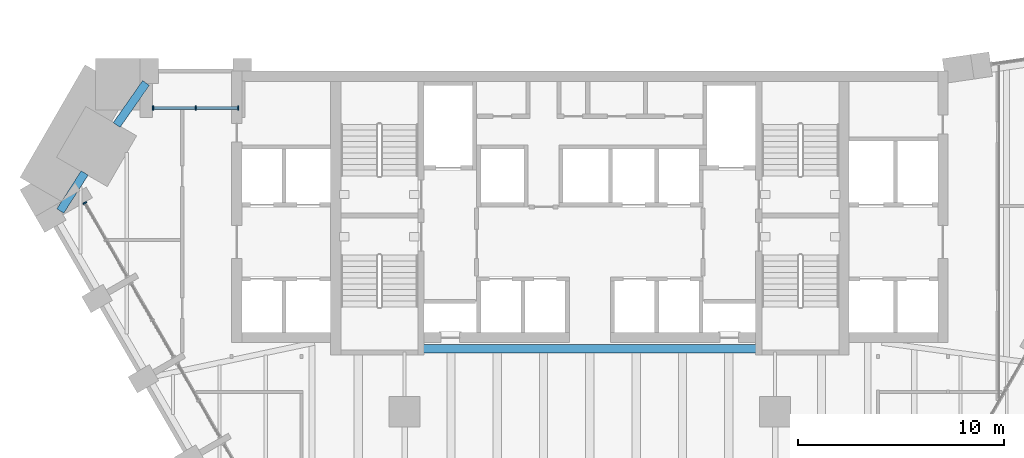
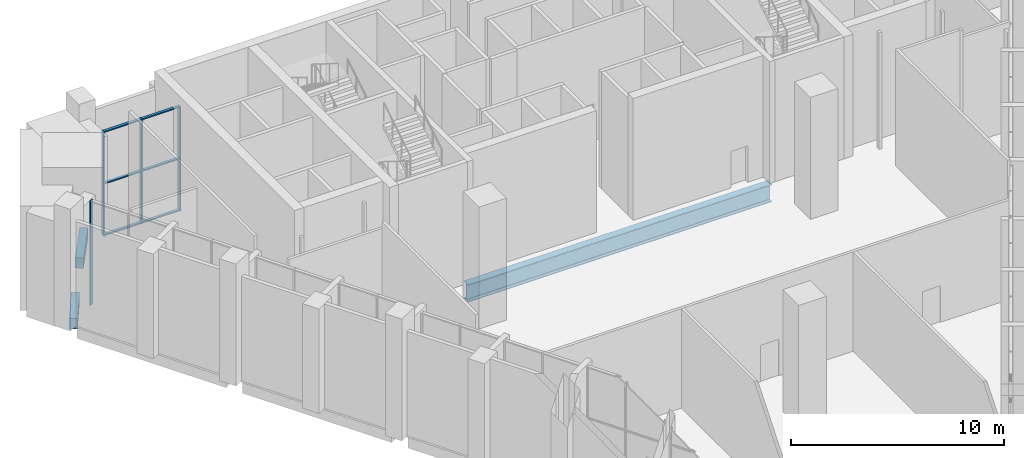
# One storey, part 6 of 17: 10 members, 3 beams, 2 elements without a shape of their own.
"""IFC4 building model written with IfcOpenShell, lengths in metres."""

from ifc_helpers import new_model, si_unit, direction, frame, origin, origin_2d, place, context, subcontext, project, spatial, rectangle, i_section, extrude, material, material_profile, profile_set, type_object, element, aggregate, save


model = new_model("IFC4")

# Units and contexts
model_context = context("Model", 3, precision=1e-05, world=origin(), true_north=direction((0.0, 1.0)))
body_context = subcontext(model_context, "Body", "Model", "MODEL_VIEW")
ifc_project = project(units=[si_unit("LENGTHUNIT", "METRE"), si_unit("AREAUNIT", "SQUARE_METRE"), si_unit("VOLUMEUNIT", "CUBIC_METRE"), si_unit("PLANEANGLEUNIT", "RADIAN"), si_unit("MASSUNIT", "GRAM", prefix="KILO")], contexts=[model_context])

# Site, building, storey
site_placement = place(None, origin())
site = spatial("IfcSite", under=ifc_project, at=site_placement, CompositionType="ELEMENT")
building_placement = place(site_placement, origin())
building = spatial("IfcBuilding", under=site, at=building_placement, Name="Calabash Gate Tower", CompositionType="ELEMENT")
storey_placement = place(building_placement, frame((0.0, 0.0, 132.60009765625)))
storey = spatial("IfcBuildingStorey", under=building, at=storey_placement, Name="L31", CompositionType="ELEMENT", Elevation=132.60009765625)

# Beams
ifc_material_1 = material(Name="Concrete C60/75", Category="concrete")
ifc_material_profile_1 = material_profile(ifc_material_1, rectangle(XDim=0.39990234375, YDim=0.60009765625, at=origin_2d()))
ifc_profile_set_1 = profile_set([ifc_material_profile_1], Name="Concrete C60/75")
beam_type_1 = type_object("IfcBeamType", Name="Edge beam RC 400x600 Concrete C60/75", PredefinedType="BEAM", material=ifc_profile_set_1)
beam_1_placement = place(storey_placement, frame((-21.56005859375, 18.470947265625, -0.47021484375), z_axis=(-0.572712945654, -0.819755989231, 0.0), x_axis=(0.819755989231, -0.572712945654, 0.0)))
element("IfcBeam", 1, at=beam_1_placement, inside=storey, type_object=beam_type_1, Name="Edge beam L31 17", PredefinedType="BEAM", context=body_context, shape_type="SweptSolid", body=[
    extrude(rectangle(XDim=0.39990234375, YDim=0.60009765625, at=origin_2d()), origin(), (0.0, 0.0, 1.0), 2.493408203125),
])
beam_2_placement = place(storey_placement, frame((-24.54296875, 14.097900390625, -0.47021484375), z_axis=(-0.53876925655, -0.842453374494, 0.0), x_axis=(0.842453374494, -0.53876925655, 0.0)))
element("IfcBeam", 2, at=beam_2_placement, inside=storey, type_object=beam_type_1, Name="Edge beam L31 18", PredefinedType="BEAM", context=body_context, shape_type="SweptSolid", body=[
    extrude(rectangle(XDim=0.39990234375, YDim=0.60009765625, at=origin_2d()), origin(), (0.0, 0.0, 1.0), 2.1923828125),
])
ifc_material_2 = material(Name="Steel ASTM A992 Gr50", Category="steel")
ifc_material_profile_2 = material_profile(ifc_material_2, i_section(OverallWidth=0.4013671875, OverallDepth=1.000732421875, WebThickness=0.01904296875, FlangeThickness=0.0361328125, FilletRadius=0.030029296875, at=origin_2d()))
ifc_profile_set_2 = profile_set([ifc_material_profile_2], Name="Steel ASTM A992 Gr50")
beam_type_2 = type_object("IfcBeamType", Name="Girder W40x249 ASTM A992 Gr50", PredefinedType="BEAM", material=ifc_profile_set_2)
beam_3_placement = place(storey_placement, frame((-8.25, 5.552978515625, -0.670166015625), z_axis=(1.0, 0.0, 0.0), x_axis=(0.0, 1.0, 0.0)))
element("IfcBeam", 3, at=beam_3_placement, inside=storey, type_object=beam_type_2, Name="Girder L31 1", PredefinedType="BEAM", context=body_context, shape_type="SweptSolid", body=[
    extrude(i_section(OverallWidth=0.4013671875, OverallDepth=1.000732421875, WebThickness=0.01904296875, FlangeThickness=0.0361328125, FilletRadius=0.030029296875, at=origin_2d()), origin(), (0.0, 0.0, 1.0), 16.5),
])

# Curtain wall, member
ifc_material_3 = material(Name="Anodised aluminium frame, bronze finish, clear laminated low-emissivity glazing", Category="aluminium")
curtain_wall_type = type_object("IfcCurtainWallType", Name="Curtain wall CWS sky lobby wall", PredefinedType="NOTDEFINED", material=ifc_material_3)
curtain_wall_1_placement = place(storey_placement, origin())
curtain_wall_1 = element("IfcCurtainWall", 4, at=curtain_wall_1_placement, inside=storey, type_object=curtain_wall_type, Name="Curtain wall CWS L31 SW0.1", PredefinedType="NOTDEFINED")
ifc_material_4 = material(Name="Anodised aluminium frame, bronze finish", Category="aluminium")
ifc_material_profile_3 = material_profile(ifc_material_4, rectangle(XDim=0.199951171875, YDim=0.06494140625, at=origin_2d()))
ifc_profile_set_3 = profile_set([ifc_material_profile_3], Name="Anodised aluminium frame, bronze finish")
member_type_1 = type_object("IfcMemberType", Name="Mullion CWS 65x200", PredefinedType="MULLION", material=ifc_profile_set_3)
member_1_placement = place(storey_placement, frame((-24.5380859375, 12.636474609375, 0.0), z_axis=(0.0, 0.0, 1.0), x_axis=(0.866025362359, 0.500000071751, 0.0)))
member_1 = element("IfcMember", 5, at=member_1_placement, type_object=member_type_1, Name="CWS mullion 1", PredefinedType="MULLION", context=body_context, shape_type="SweptSolid", body=[
    extrude(rectangle(XDim=0.199951171875, YDim=0.06494140625, at=origin_2d()), origin(), (0.0, 0.0, 1.0), 6.0),
])
aggregate(curtain_wall_1, [member_1])

# Curtain wall, members
curtain_wall_2_placement = place(storey_placement, origin())
curtain_wall_2 = element("IfcCurtainWall", 6, at=curtain_wall_2_placement, inside=storey, type_object=curtain_wall_type, Name="Curtain wall CWS L31 N6.8", PredefinedType="NOTDEFINED")
member_2_placement = place(storey_placement, frame((-17.079345703125, 17.25244140625, 0.0), z_axis=(0.0, 0.0, 1.0), x_axis=(0.0, -1.0, 0.0)))
member_2 = element("IfcMember", 7, at=member_2_placement, type_object=member_type_1, Name="CWS mullion 1", PredefinedType="MULLION", context=body_context, shape_type="SweptSolid", body=[
    extrude(rectangle(XDim=0.199951171875, YDim=0.06494140625, at=origin_2d()), origin(), (0.0, 0.0, 1.0), 6.0),
])
member_3_placement = place(storey_placement, frame((-19.14697265625, 17.25244140625, 0.0), z_axis=(0.0, 0.0, 1.0), x_axis=(0.0, -1.0, 0.0)))
member_3 = element("IfcMember", 8, at=member_3_placement, type_object=member_type_1, Name="CWS mullion 2", PredefinedType="MULLION", context=body_context, shape_type="SweptSolid", body=[
    extrude(rectangle(XDim=0.199951171875, YDim=0.06494140625, at=origin_2d()), origin(), (0.0, 0.0, 1.0), 6.0),
])
member_4_placement = place(storey_placement, frame((-21.21435546875, 17.25244140625, 0.0), z_axis=(0.0, 0.0, 1.0), x_axis=(0.0, -1.0, 0.0)))
member_4 = element("IfcMember", 9, at=member_4_placement, type_object=member_type_1, Name="CWS mullion 3", PredefinedType="MULLION", context=body_context, shape_type="SweptSolid", body=[
    extrude(rectangle(XDim=0.199951171875, YDim=0.06494140625, at=origin_2d()), origin(), (0.0, 0.0, 1.0), 6.0),
])
ifc_material_5 = material(Name="Anodised aluminium frame, bronze finish", Category="aluminium")
ifc_material_profile_4 = material_profile(ifc_material_5, rectangle(XDim=0.14990234375, YDim=0.06494140625, at=origin_2d()))
ifc_profile_set_4 = profile_set([ifc_material_profile_4], Name="Anodised aluminium frame, bronze finish")
member_type_2 = type_object("IfcMemberType", Name="Transom CWS 65x150", PredefinedType="USERDEFINED", material=ifc_profile_set_4)
member_5_placement = place(storey_placement, frame((-17.11181640625, 17.25244140625, 0.032470703125), z_axis=(-1.0, 0.0, 0.0), x_axis=(0.0, -1.0, 0.0)))
member_5 = element("IfcMember", 10, at=member_5_placement, type_object=member_type_2, Name="CWS transom 1.1", ObjectType="TRANSOM", PredefinedType="USERDEFINED", context=body_context, shape_type="SweptSolid", body=[
    extrude(rectangle(XDim=0.14990234375, YDim=0.06494140625, at=origin_2d()), origin(), (0.0, 0.0, 1.0), 2.002685546875),
])
member_6_placement = place(storey_placement, frame((-17.11181640625, 17.25244140625, 3.0), z_axis=(-1.0, 0.0, 0.0), x_axis=(0.0, -1.0, 0.0)))
member_6 = element("IfcMember", 11, at=member_6_placement, type_object=member_type_2, Name="CWS transom 1.2", ObjectType="TRANSOM", PredefinedType="USERDEFINED", context=body_context, shape_type="SweptSolid", body=[
    extrude(rectangle(XDim=0.14990234375, YDim=0.06494140625, at=origin_2d()), origin(), (0.0, 0.0, 1.0), 2.002685546875),
])
member_7_placement = place(storey_placement, frame((-17.11181640625, 17.25244140625, 5.96728515625), z_axis=(-1.0, 0.0, 0.0), x_axis=(0.0, -1.0, 0.0)))
member_7 = element("IfcMember", 12, at=member_7_placement, type_object=member_type_2, Name="CWS transom 1.3", ObjectType="TRANSOM", PredefinedType="USERDEFINED", context=body_context, shape_type="SweptSolid", body=[
    extrude(rectangle(XDim=0.14990234375, YDim=0.06494140625, at=origin_2d()), origin(), (0.0, 0.0, 1.0), 2.002685546875),
])
member_8_placement = place(storey_placement, frame((-19.179443359375, 17.25244140625, 0.032470703125), z_axis=(-1.0, 0.0, 0.0), x_axis=(0.0, -1.0, 0.0)))
member_8 = element("IfcMember", 13, at=member_8_placement, type_object=member_type_2, Name="CWS transom 2.1", ObjectType="TRANSOM", PredefinedType="USERDEFINED", context=body_context, shape_type="SweptSolid", body=[
    extrude(rectangle(XDim=0.14990234375, YDim=0.06494140625, at=origin_2d()), origin(), (0.0, 0.0, 1.0), 2.00244140625),
])
member_9_placement = place(storey_placement, frame((-19.179443359375, 17.25244140625, 3.0), z_axis=(-1.0, 0.0, 0.0), x_axis=(0.0, -1.0, 0.0)))
member_9 = element("IfcMember", 14, at=member_9_placement, type_object=member_type_2, Name="CWS transom 2.2", ObjectType="TRANSOM", PredefinedType="USERDEFINED", context=body_context, shape_type="SweptSolid", body=[
    extrude(rectangle(XDim=0.14990234375, YDim=0.06494140625, at=origin_2d()), origin(), (0.0, 0.0, 1.0), 2.00244140625),
])
member_10_placement = place(storey_placement, frame((-19.179443359375, 17.25244140625, 5.96728515625), z_axis=(-1.0, 0.0, 0.0), x_axis=(0.0, -1.0, 0.0)))
member_10 = element("IfcMember", 15, at=member_10_placement, type_object=member_type_2, Name="CWS transom 2.3", ObjectType="TRANSOM", PredefinedType="USERDEFINED", context=body_context, shape_type="SweptSolid", body=[
    extrude(rectangle(XDim=0.14990234375, YDim=0.06494140625, at=origin_2d()), origin(), (0.0, 0.0, 1.0), 2.00244140625),
])
aggregate(curtain_wall_2, [member_2, member_3, member_4, member_5, member_6, member_7, member_8, member_9, member_10])

save(model, "model.ifc")
